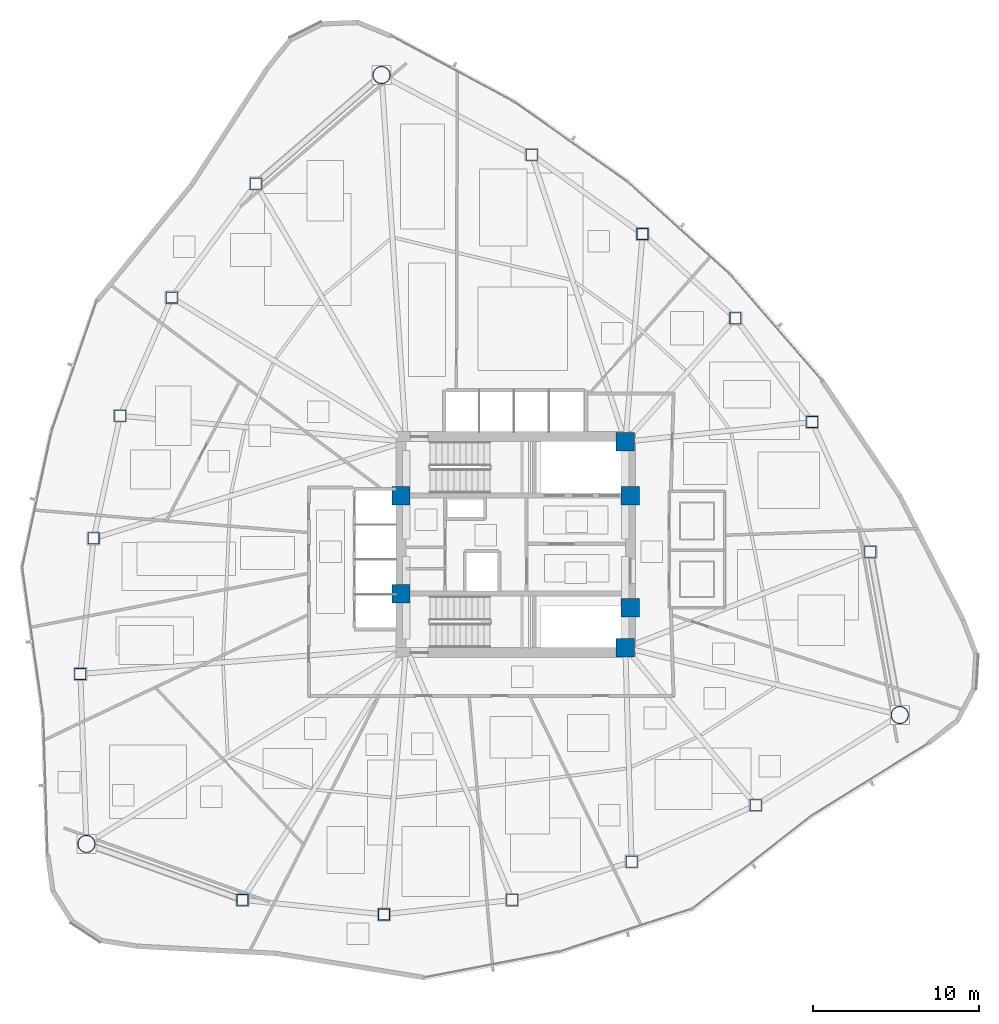
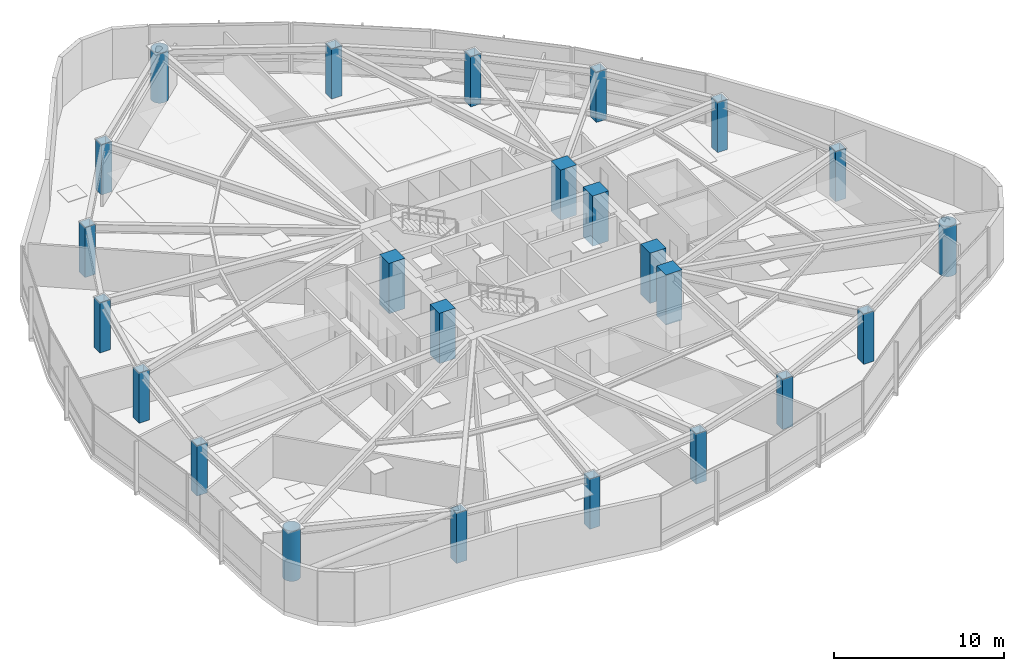
# One storey, part 1 of 17: 24 columns.
"""IFC4 building model written with IfcOpenShell, lengths in metres."""

import ifcopenshell
import ifcopenshell.guid

model = None  # the IFC model being written
_history = None  # IfcOwnerHistory: only IFC2X3 demands one
_inside = {}  # id of a spatial element -> (the spatial element, [elements in it])
_under = {}  # id of a project, library or spatial element -> (it, [spatial elements below it])
_declared = {}  # id of a project -> (the project, [libraries it declares])
_typed = {}  # id of a type object -> (the type object, [elements of that type])
_made_of = {}  # id of a material, layer set ... -> (it, [elements and type objects made of it])


def new_model(schema):
    """Start an empty IFC model of exactly this schema.

    Asked for "IFC4X3", IfcOpenShell would pick the latest addendum, in which some entities
    have other attributes; the version numbers below select the first issue.
    IFC2X3 requires an IfcOwnerHistory on every rooted entity: one is made here for all.
    """
    global model, _history
    if schema == "IFC4X3":
        model = ifcopenshell.file(schema_version=(4, 3, 0, 0))
    else:
        model = ifcopenshell.file(schema=schema)
    _inside.clear()
    _under.clear()
    _declared.clear()
    _typed.clear()
    _made_of.clear()
    _history = None
    if model.schema == "IFC2X3":
        org = make("IfcOrganization", Name="unknown")
        user = make(
            "IfcPersonAndOrganization",
            ThePerson=make("IfcPerson", FamilyName="unknown"),
            TheOrganization=org,
        )
        app = make(
            "IfcApplication",
            ApplicationDeveloper=org,
            Version="unknown",
            ApplicationFullName="unknown",
            ApplicationIdentifier="unknown",
        )
        _history = make(
            "IfcOwnerHistory",
            OwningUser=user,
            OwningApplication=app,
            ChangeAction="ADDED",
            CreationDate=0,
        )
    return model


def make(cls, **values):
    """One entity of the class cls with the attributes given. An attribute that is None is left unset."""
    return model.create_entity(
        cls, **{name: value for name, value in values.items() if value is not None}
    )


def rooted(cls, **values):
    """An entity with a GlobalId (a new one), such as an element, a storey or a relation."""
    return make(cls, GlobalId=ifcopenshell.guid.new(), OwnerHistory=_history, **values)


def si_unit(unit_type, name, prefix=None):
    """IfcSIUnit, for example si_unit("LENGTHUNIT", "METRE", prefix="MILLI")."""
    return make("IfcSIUnit", UnitType=unit_type, Prefix=prefix, Name=name)


def assignment(units):
    """IfcUnitAssignment: the units of a project."""
    return None if units is None else make("IfcUnitAssignment", Units=units)


def point(xyz):
    """IfcCartesianPoint."""
    return None if xyz is None else make("IfcCartesianPoint", Coordinates=xyz)


def direction(xyz):
    """IfcDirection."""
    return None if xyz is None else make("IfcDirection", DirectionRatios=xyz)


def frame(location, z_axis=None, x_axis=None):
    """IfcAxis2Placement3D, a coordinate frame: its origin and axes. An axis left out is left unset."""
    return make(
        "IfcAxis2Placement3D",
        Location=point(location),
        Axis=direction(z_axis),
        RefDirection=direction(x_axis),
    )


def frame_2d(location, x_axis=None):
    """IfcAxis2Placement2D, a coordinate frame in the plane: its origin and x axis."""
    return make(
        "IfcAxis2Placement2D", Location=point(location), RefDirection=direction(x_axis)
    )


def origin():
    """The frame at (0, 0, 0) with its axes left unset."""
    return frame((0.0, 0.0, 0.0))


def origin_2d():
    """The frame at (0, 0) in the plane with its x axis left unset."""
    return frame_2d((0.0, 0.0))


def place(relative_to, where):
    """IfcLocalPlacement: puts the frame where relative to a parent placement (None: the world)."""
    return make(
        "IfcLocalPlacement", PlacementRelTo=relative_to, RelativePlacement=where
    )


def context(
    kind, dimensions, precision=None, world=None, true_north=None, identifier=None
):
    """IfcGeometricRepresentationContext, for example the 3D "Model" context."""
    return make(
        "IfcGeometricRepresentationContext",
        ContextIdentifier=identifier,
        ContextType=kind,
        CoordinateSpaceDimension=dimensions,
        Precision=precision,
        WorldCoordinateSystem=world,
        TrueNorth=true_north,
    )


def subcontext(parent, identifier, kind, view, scale=None):
    """IfcGeometricRepresentationSubContext, for example "Body" below "Model"."""
    return make(
        "IfcGeometricRepresentationSubContext",
        ContextIdentifier=identifier,
        ContextType=kind,
        ParentContext=parent,
        TargetScale=scale,
        TargetView=view,
    )


def project(units=None, contexts=None):
    """IfcProject with its units and contexts."""
    return rooted(
        "IfcProject",
        Name="project",
        RepresentationContexts=contexts,
        UnitsInContext=assignment(units),
    )


def spatial(cls, under=None, at=None, **own):
    """A site, building, storey or space (cls), placed at a placement, below another one or the project."""
    s = rooted(cls, ObjectPlacement=at, **own)
    if under is not None:
        _under.setdefault(under.id(), (under, []))[1].append(s)
    return s


def profile(cls, at=None, kind="AREA", **sizes):
    """A parametric profile (cls). Its sizes go by their IFC names, for example OverallWidth=200.0."""
    return make(cls, ProfileType=kind, Position=at, **sizes)


def rectangle(**sizes):
    """IfcRectangleProfileDef."""
    return profile("IfcRectangleProfileDef", **sizes)


def hollow_rectangle(**sizes):
    """IfcRectangleHollowProfileDef."""
    return profile("IfcRectangleHollowProfileDef", **sizes)


def hollow_circle(**sizes):
    """IfcCircleHollowProfileDef."""
    return profile("IfcCircleHollowProfileDef", **sizes)


def extrude(swept, where, along, depth):
    """IfcExtrudedAreaSolid: the profile swept, set in the frame where, extruded along a direction by depth."""
    return make(
        "IfcExtrudedAreaSolid",
        SweptArea=swept,
        Position=where,
        ExtrudedDirection=direction(along),
        Depth=depth,
    )


def shape(context_of_items, identifier, shape_type, items):
    """IfcShapeRepresentation: the items that make up one representation, for example the "Body"."""
    return make(
        "IfcShapeRepresentation",
        ContextOfItems=context_of_items,
        RepresentationIdentifier=identifier,
        RepresentationType=shape_type,
        Items=items,
    )


def material(Name=None, Category=None):
    """IfcMaterial."""
    return make("IfcMaterial", Name=Name, Category=Category)


def material_profile(
    of_material, cross_section, Name=None, Category=None, Priority=None
):
    """IfcMaterialProfile: a cross section and its material."""
    return make(
        "IfcMaterialProfile",
        Name=Name,
        Material=of_material,
        Profile=cross_section,
        Priority=Priority,
        Category=Category,
    )


def profile_set(profiles, Name=None, composite=None):
    """IfcMaterialProfileSet."""
    return make(
        "IfcMaterialProfileSet",
        Name=Name,
        MaterialProfiles=profiles,
        CompositeProfile=composite,
    )


def made_of(thing, what):
    """Note that an element or type object is made of a material, layer set ...; save() writes the relation."""
    if what is not None:
        _made_of.setdefault(what.id(), (what, []))[1].append(thing)
    return thing


def type_object(cls, material=None, **own):
    """A type object (cls), such as IfcWallType, which elements share."""
    return made_of(rooted(cls, **own), material)


def element(
    cls,
    number,
    at=None,
    inside=None,
    cuts=None,
    type_object=None,
    material=None,
    context=None,
    identifier="Body",
    shape_type=None,
    held_by="IfcProductDefinitionShape",
    body=None,
    shapes=None,
    **own,
):
    """One element of the class cls, such as IfcWall. Its Tag is "e" and its number.

    at: its placement. inside: the storey or other place that contains it. cuts: it is an
    opening in that element (IfcRelVoidsElement). A single representation is given by context,
    identifier, shape_type and body (its items); several are given by shapes. held_by: the class
    of the entity that holds the representations. save() writes the other relations.
    """
    e = rooted(cls, Tag="e%d" % number, ObjectPlacement=at, **own)
    if body is not None:
        shapes = [shape(context, identifier, shape_type, body)]
    if shapes is not None:
        e.Representation = make(held_by, Representations=shapes)
    if inside is not None:
        _inside.setdefault(inside.id(), (inside, []))[1].append(e)
    if cuts is not None:
        rooted(
            "IfcRelVoidsElement", RelatingBuildingElement=cuts, RelatedOpeningElement=e
        )
    if type_object is not None:
        _typed.setdefault(type_object.id(), (type_object, []))[1].append(e)
    return made_of(e, material)


def aggregate(whole, parts):
    """IfcRelAggregates: a whole, such as a stair, and the parts it consists of."""
    return rooted("IfcRelAggregates", RelatingObject=whole, RelatedObjects=parts)


def save(model, path):
    """Write the relations noted so far, then the file.

    IfcRelAggregates (storeys below a building ...), IfcRelContainedInSpatialStructure (elements
    in a storey), IfcRelDefinesByType, IfcRelAssociatesMaterial and IfcRelDeclares: one each for
    every whole, place, type object, material and project.
    """
    for whole, parts in _under.values():
        aggregate(whole, parts)
    for where, things in _inside.values():
        rooted(
            "IfcRelContainedInSpatialStructure",
            RelatedElements=things,
            RelatingStructure=where,
        )
    for kind, things in _typed.values():
        rooted("IfcRelDefinesByType", RelatedObjects=things, RelatingType=kind)
    for what, things in _made_of.values():
        rooted("IfcRelAssociatesMaterial", RelatedObjects=things, RelatingMaterial=what)
    for by, libraries in _declared.values():
        rooted("IfcRelDeclares", RelatingContext=by, RelatedDefinitions=libraries)
    model.write(path)


model = new_model("IFC4")

# Units and contexts
model_context = context("Model", 3, precision=1e-05, world=origin(), true_north=direction((0.0, 1.0)))
body_context = subcontext(model_context, "Body", "Model", "MODEL_VIEW")
ifc_project = project(units=[si_unit("LENGTHUNIT", "METRE"), si_unit("AREAUNIT", "SQUARE_METRE"), si_unit("VOLUMEUNIT", "CUBIC_METRE"), si_unit("PLANEANGLEUNIT", "RADIAN"), si_unit("MASSUNIT", "GRAM", prefix="KILO")], contexts=[model_context])

# Site, building, storey
site_placement = place(None, origin())
site = spatial("IfcSite", under=ifc_project, at=site_placement, CompositionType="ELEMENT")
building_placement = place(site_placement, origin())
building = spatial("IfcBuilding", under=site, at=building_placement, Name="Tavelor Broadcast Tower", CompositionType="ELEMENT")
storey_placement = place(building_placement, frame((0.0, 0.0, 86.10009765625)))
storey = spatial("IfcBuildingStorey", under=building, at=storey_placement, Name="L20", CompositionType="ELEMENT", Elevation=86.10009765625)

# Columns
ifc_material_1 = material(Name="Concrete C60/75", Category="concrete")
ifc_material_profile_1 = material_profile(ifc_material_1, rectangle(XDim=1.10009765625, YDim=1.10009765625, at=origin_2d()), Name="RC 1100x1100")
ifc_profile_set_1 = profile_set([ifc_material_profile_1], Name="Concrete C60/75")
column_type_1 = type_object("IfcColumnType", Name="Core Embedded Composite Column RC1100", PredefinedType="COLUMN", material=ifc_profile_set_1)
for number, where, z_axis, x_axis, name in (
    (1, (43.10009765625, 47.949951171875, 0.0), (0.0, 0.0, 1.0), (1.0, 0.0, 0.0), "L20 Core Embedded Column 1"),
    (2, (56.89990234375, 47.949951171875, 0.0), (0.0, 0.0, 1.0), (1.0, 0.0, 0.0), "L20 Core Embedded Column 2"),
    (3, (56.60009765625, 51.199951171875, 0.0), (0.0, 0.0, 1.0), (1.0, 0.0, 0.0), "L20 Core Embedded Column 3"),
    (4, (43.10009765625, 42.050048828125, 0.0), (0.0, 0.0, 1.0), (1.0, 0.0, 0.0), "L20 Core Embedded Column 4"),
    (5, (56.89990234375, 41.199951171875, 0.0), (0.0, 0.0, 1.0), (1.0, 0.0, 0.0), "L20 Core Embedded Column 5"),
    (6, (56.60009765625, 38.800048828125, 0.0), (0.0, 0.0, 1.0), (1.0, 0.0, 0.0), "L20 Core Embedded Column 6"),
):
    element("IfcColumn", number, at=place(storey_placement, frame(where, z_axis=z_axis, x_axis=x_axis)), inside=storey, type_object=column_type_1, Name=name, PredefinedType="COLUMN", context=body_context, shape_type="SweptSolid", body=[
        extrude(rectangle(XDim=1.10009765625, YDim=1.10009765625, at=origin_2d()), origin(), (0.0, 0.0, 1.0), 3.599853515625),
    ])
ifc_material_2 = material(Name="Steel S460", Category="steel")
ifc_material_profile_2 = material_profile(ifc_material_2, hollow_rectangle(XDim=0.699951171875, YDim=0.699951171875, WallThickness=0.0400390625, at=origin_2d()), Name="SHS 700x700x40")
ifc_profile_set_2 = profile_set([ifc_material_profile_2], Name="Steel S460")
column_type_2 = type_object("IfcColumnType", Name="Perimeter Tube Column T2 SHS 700x700x40", PredefinedType="COLUMN", material=ifc_profile_set_2)
for number, where, z_axis, x_axis, name in (
    (7, (34.356201171875, 66.727783203125, 0.0), (0.0, 0.0, 1.0), (1.0, 0.0, 0.0), "L20 Perimeter Framed-Tube Column 02"),
    (8, (29.292236328125, 59.87158203125, 0.0), (0.0, 0.0, 1.0), (1.0, 0.0, 0.0), "L20 Perimeter Framed-Tube Column 03"),
    (9, (26.189208984375, 52.75830078125, 0.0), (0.0, 0.0, 1.0), (1.0, 0.0, 0.0), "L20 Perimeter Framed-Tube Column 04"),
    (10, (24.58984375, 45.380615234375, 0.0), (0.0, 0.0, 1.0), (1.0, 0.0, 0.0), "L20 Perimeter Framed-Tube Column 05"),
    (11, (23.794677734375, 37.21630859375, 0.0), (0.0, 0.0, 1.0), (1.0, 0.0, 0.0), "L20 Perimeter Framed-Tube Column 06"),
    (12, (33.55078125, 23.615478515625, 0.0), (0.0, 0.0, 1.0), (1.0, 0.0, 0.0), "L20 Perimeter Framed-Tube Column 08"),
    (13, (42.0732421875, 22.740478515625, 0.0), (0.0, 0.0, 1.0), (1.0, 0.0, 0.0), "L20 Perimeter Framed-Tube Column 09"),
    (14, (49.78662109375, 23.617919921875, 0.0), (0.0, 0.0, 1.0), (1.0, 0.0, 0.0), "L20 Perimeter Framed-Tube Column 10"),
    (15, (56.975341796875, 25.92138671875, 0.0), (0.0, 0.0, 1.0), (1.0, 0.0, 0.0), "L20 Perimeter Framed-Tube Column 11"),
    (16, (64.443603515625, 29.31494140625, 0.0), (0.0, 0.0, 1.0), (1.0, 0.0, 0.0), "L20 Perimeter Framed-Tube Column 12"),
    (17, (71.343994140625, 44.564697265625, 0.0), (0.0, 0.0, 1.0), (1.0, 0.0, 0.0), "L20 Perimeter Framed-Tube Column 14"),
    (18, (67.8408203125, 52.382568359375, 0.0), (0.0, 0.0, 1.0), (1.0, 0.0, 0.0), "L20 Perimeter Framed-Tube Column 15"),
    (19, (63.22412109375, 58.623779296875, 0.0), (0.0, 0.0, 1.0), (1.0, 0.0, 0.0), "L20 Perimeter Framed-Tube Column 16"),
    (20, (57.634765625, 63.69775390625, 0.0), (0.0, 0.0, 1.0), (1.0, 0.0, 0.0), "L20 Perimeter Framed-Tube Column 17"),
    (21, (50.9619140625, 68.468505859375, 0.0), (0.0, 0.0, 1.0), (1.0, 0.0, 0.0), "L20 Perimeter Framed-Tube Column 18"),
):
    element("IfcColumn", number, at=place(storey_placement, frame(where, z_axis=z_axis, x_axis=x_axis)), inside=storey, type_object=column_type_2, Name=name, PredefinedType="COLUMN", context=body_context, shape_type="SweptSolid", body=[
        extrude(hollow_rectangle(XDim=0.699951171875, YDim=0.699951171875, WallThickness=0.0400390625, at=origin_2d()), origin(), (0.0, 0.0, 1.0), 3.599853515625),
    ])
ifc_material_profile_3 = material_profile(ifc_material_2, hollow_circle(Radius=0.533447265625, WallThickness=0.044921875, at=origin_2d()), Name="CHS 1067x45")
ifc_profile_set_3 = profile_set([ifc_material_profile_3], Name="Steel S460")
column_type_3 = type_object("IfcColumnType", Name="Tower Mega Column T2 CHS 1067x45", PredefinedType="COLUMN", material=ifc_profile_set_3)
for number, where, z_axis, x_axis, name in (
    (22, (41.923095703125, 73.266357421875, 0.0), (0.0, 0.0, 1.0), (1.0, 0.0, 0.0), "L20 Tower Corner Mega Column 01"),
    (23, (24.1591796875, 26.98974609375, 0.0), (0.0, 0.0, 1.0), (1.0, 0.0, 0.0), "L20 Tower Corner Mega Column 07"),
    (24, (73.117919921875, 34.743896484375, 0.0), (0.0, 0.0, 1.0), (1.0, 0.0, 0.0), "L20 Tower Corner Mega Column 13"),
):
    element("IfcColumn", number, at=place(storey_placement, frame(where, z_axis=z_axis, x_axis=x_axis)), inside=storey, type_object=column_type_3, Name=name, PredefinedType="COLUMN", context=body_context, shape_type="SweptSolid", body=[
        extrude(hollow_circle(Radius=0.533447265625, WallThickness=0.044921875, at=origin_2d()), origin(), (0.0, 0.0, 1.0), 3.599853515625),
    ])

save(model, "model.ifc")
